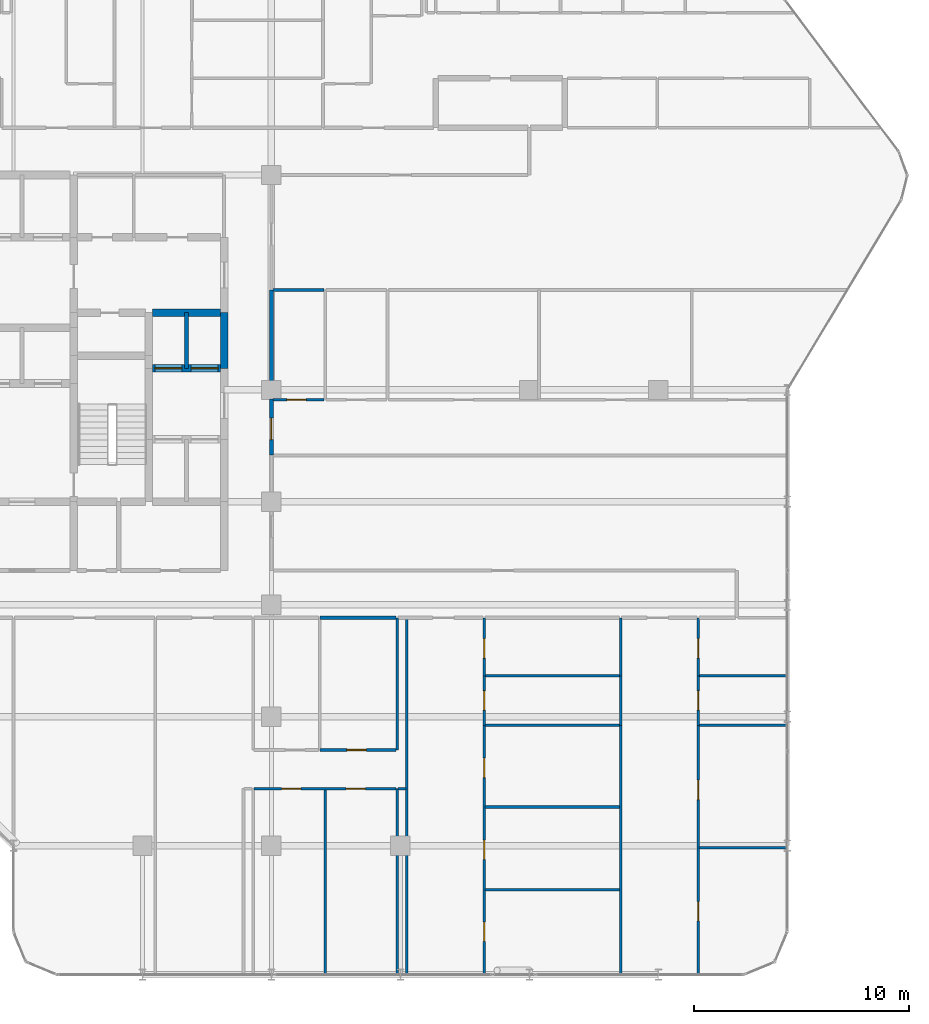
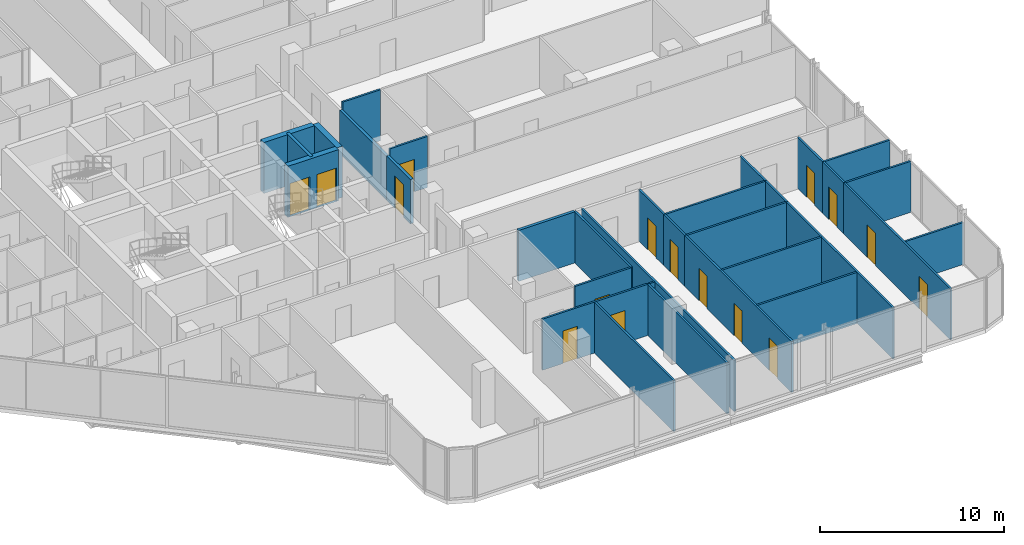
# One storey, part 27 of 31: 32 walls, 16 doors, 16 openings.
"""IFC4 building model written with IfcOpenShell, lengths in metres."""

from ifc_helpers import new_model, si_unit, direction, frame, frame_2d, origin, place, context, subcontext, project, spatial, rectangle, extrude, material, layer, layer_set, type_object, element, fill, save


model = new_model("IFC4")

# Units and contexts
model_context = context("Model", 3, precision=1e-05, world=origin(), true_north=direction((0.0, 1.0)))
body_context = subcontext(model_context, "Body", "Model", "MODEL_VIEW")
ifc_project = project(units=[si_unit("LENGTHUNIT", "METRE"), si_unit("AREAUNIT", "SQUARE_METRE"), si_unit("VOLUMEUNIT", "CUBIC_METRE"), si_unit("PLANEANGLEUNIT", "RADIAN"), si_unit("MASSUNIT", "GRAM", prefix="KILO")], contexts=[model_context])

# Site, building, storey
site_placement = place(None, origin())
site = spatial("IfcSite", under=ifc_project, at=site_placement, CompositionType="ELEMENT")
building_placement = place(site_placement, origin())
building = spatial("IfcBuilding", under=site, at=building_placement, Name="Keshet Zoharim Tower", CompositionType="ELEMENT")
storey_placement = place(building_placement, frame((0.0, 0.0, 129.800048828125)))
storey = spatial("IfcBuildingStorey", under=building, at=storey_placement, Name="L31", CompositionType="ELEMENT", Elevation=129.800048828125)

# Wall
ifc_material_1 = material(Name="Concrete C60/75", Category="concrete")
ifc_layer_1 = layer(ifc_material_1, 0.35009765625)
ifc_layer_set_1 = layer_set([ifc_layer_1], Name="Concrete C60/75")
wall_type_1 = type_object("IfcWallType", Name="WL-CORE-350", PredefinedType="SHEAR", material=ifc_layer_set_1)
wall_1_placement = place(storey_placement, frame((30.800048828125, 28.89990234375, 0.0), z_axis=(0.0, 0.0, 1.0), x_axis=(0.0, 1.0, 0.0)))
element("IfcWall", 1, at=wall_1_placement, inside=storey, type_object=wall_type_1, Name="L31 Core Shear Wall 061", PredefinedType="SHEAR", context=body_context, shape_type="SweptSolid", body=[
    extrude(rectangle(XDim=2.60009765625, YDim=0.35009765625, at=frame_2d((1.300048828125, 0.0))), origin(), (0.0, 0.0, 1.0), 3.385009765625),
])

# Wall, openings, doors
wall_2_placement = place(storey_placement, frame((27.4599609375, 28.89990234375, 0.0), z_axis=(0.0, 0.0, 1.0), x_axis=(1.0, 0.0, 0.0)))
wall_2 = element("IfcWall", 2, at=wall_2_placement, inside=storey, type_object=wall_type_1, Name="L31 Core Shear Wall 159", PredefinedType="SHEAR", context=body_context, shape_type="SweptSolid", body=[
    extrude(rectangle(XDim=3.179931640625, YDim=0.35009765625, at=frame_2d((1.58984375, 0.0))), origin(), (0.0, 0.0, 1.0), 3.385009765625),
])
opening_1_placement = place(wall_2_placement, frame((0.1201171875, 0.0, 0.0)))
opening_1 = element("IfcOpeningElement", 3, at=opening_1_placement, cuts=wall_2, Name="Opening LD-01", PredefinedType="OPENING", context=body_context, shape_type="SweptSolid", body=[
    extrude(rectangle(XDim=1.25, YDim=2.199951171875, at=frame_2d((0.625, 1.10009765625))), frame((0.0, 0.18505859375, 0.0), z_axis=(0.0, -1.0, 0.0), x_axis=(1.0, 0.0, 0.0)), (0.0, 0.0, 1.0), 0.3701171875),
])
opening_2_placement = place(wall_2_placement, frame((1.81005859375, 0.0, 0.0)))
opening_2 = element("IfcOpeningElement", 4, at=opening_2_placement, cuts=wall_2, Name="Opening LD-01", PredefinedType="OPENING", context=body_context, shape_type="SweptSolid", body=[
    extrude(rectangle(XDim=1.25, YDim=2.199951171875, at=frame_2d((0.625, 1.10009765625))), frame((0.0, 0.18505859375, 0.0), z_axis=(0.0, -1.0, 0.0), x_axis=(1.0, 0.0, 0.0)), (0.0, 0.0, 1.0), 0.3701171875),
])
ifc_material_2 = material(Name="Steel S355", Category="steel")
door_type_1 = type_object("IfcDoorType", Name="DR-LD01-125", OperationType="DOUBLE_DOOR_SLIDING", PredefinedType="DOOR", material=ifc_material_2)
door_1_placement = place(opening_1_placement, origin())
door_1 = element("IfcDoor", 5, at=door_1_placement, inside=storey, type_object=door_type_1, Name="L31 Passenger Lift Landing Door LF-05", OperationType="DOUBLE_DOOR_SLIDING", OverallHeight=2.199951171875, OverallWidth=1.25, PredefinedType="DOOR", context=body_context, shape_type="SweptSolid", body=[
    extrude(rectangle(XDim=1.25, YDim=2.199951171875, at=frame_2d((0.625, 1.10009765625))), frame((0.0, 0.02490234375, 0.0), z_axis=(0.0, -1.0, 0.0), x_axis=(1.0, 0.0, 0.0)), (0.0, 0.0, 1.0), 0.050048828125),
])
fill(opening_1, door_1)
door_2_placement = place(opening_2_placement, origin())
door_2 = element("IfcDoor", 6, at=door_2_placement, inside=storey, type_object=door_type_1, Name="L31 Passenger Lift Landing Door LF-06", OperationType="DOUBLE_DOOR_SLIDING", OverallHeight=2.199951171875, OverallWidth=1.25, PredefinedType="DOOR", context=body_context, shape_type="SweptSolid", body=[
    extrude(rectangle(XDim=1.25, YDim=2.199951171875, at=frame_2d((0.625, 1.10009765625))), frame((0.0, 0.02490234375, 0.0), z_axis=(0.0, -1.0, 0.0), x_axis=(1.0, 0.0, 0.0)), (0.0, 0.0, 1.0), 0.050048828125),
])
fill(opening_2, door_2)

# Wall
wall_3_placement = place(storey_placement, frame((27.4599609375, 31.5, 0.0), z_axis=(0.0, 0.0, 1.0), x_axis=(1.0, 0.0, 0.0)))
element("IfcWall", 7, at=wall_3_placement, inside=storey, type_object=wall_type_1, Name="L31 Core Shear Wall 168", PredefinedType="SHEAR", context=body_context, shape_type="SweptSolid", body=[
    extrude(rectangle(XDim=3.179931640625, YDim=0.35009765625, at=frame_2d((1.58984375, 0.0))), origin(), (0.0, 0.0, 1.0), 3.385009765625),
])

# Wall, opening, door
ifc_material_3 = material(Name="Gypsum Plasterboard", Category="gypsum")
ifc_layer_2 = layer(ifc_material_3, 0.179931640625)
ifc_layer_set_2 = layer_set([ifc_layer_2], Name="Gypsum Plasterboard")
wall_type_2 = type_object("IfcWallType", Name="WL-CORR-180", PredefinedType="STANDARD", material=ifc_layer_set_2)
wall_4_placement = place(storey_placement, frame((33.0, 24.8701171875, 0.0), z_axis=(0.0, 0.0, 1.0), x_axis=(0.0, 1.0, 0.0)))
wall_4 = element("IfcWall", 8, at=wall_4_placement, inside=storey, type_object=wall_type_2, Name="L31 Interior Wall 068", PredefinedType="STANDARD", context=body_context, shape_type="SweptSolid", body=[
    extrude(rectangle(XDim=2.599853515625, YDim=0.179931640625, at=frame_2d((1.2998046875, 0.0))), origin(), (0.0, 0.0, 1.0), 2.93505859375),
])
opening_3_placement = place(wall_4_placement, frame((0.722900390625, 0.0, 0.0)))
opening_3 = element("IfcOpeningElement", 9, at=opening_3_placement, cuts=wall_4, Name="Opening D-F310", PredefinedType="OPENING", context=body_context, shape_type="SweptSolid", body=[
    extrude(rectangle(XDim=1.0, YDim=2.14990234375, at=frame_2d((0.5, 1.074951171875))), frame((0.0, 0.10009765625, 0.0), z_axis=(0.0, -1.0, 0.0), x_axis=(1.0, 0.0, 0.0)), (0.0, 0.0, 1.0), 0.199951171875),
])
ifc_material_4 = material(Name="Hardwood Timber", Category="wood")
door_type_2 = type_object("IfcDoorType", Name="DR-FD30-100", OperationType="NOTDEFINED", PredefinedType="DOOR", material=ifc_material_4)
door_3_placement = place(opening_3_placement, origin())
door_3 = element("IfcDoor", 10, at=door_3_placement, inside=storey, type_object=door_type_2, Name="Apartment 3111 Entrance Door", OperationType="SINGLE_SWING_RIGHT", OverallHeight=2.14990234375, OverallWidth=1.0, PredefinedType="DOOR", context=body_context, shape_type="SweptSolid", body=[
    extrude(rectangle(XDim=1.0, YDim=2.14990234375, at=frame_2d((0.5, 1.074951171875))), frame((0.0, 0.02490234375, 0.0), z_axis=(0.0, -1.0, 0.0), x_axis=(1.0, 0.0, 0.0)), (0.0, 0.0, 1.0), 0.050048828125),
])
fill(opening_3, door_3)

# Walls
wall_5_placement = place(storey_placement, frame((33.0, 27.469970703125, 0.0), z_axis=(0.0, 0.0, 1.0), x_axis=(0.0, 1.0, 0.0)))
element("IfcWall", 11, at=wall_5_placement, inside=storey, type_object=wall_type_2, Name="L31 Interior Wall 069", PredefinedType="STANDARD", context=body_context, shape_type="SweptSolid", body=[
    extrude(rectangle(XDim=5.070068359375, YDim=0.179931640625, at=frame_2d((2.53515625, 0.0))), origin(), (0.0, 0.0, 1.0), 2.885009765625),
])
wall_6_placement = place(storey_placement, frame((35.27197265625, 17.300048828125, 0.0), z_axis=(0.0, 0.0, 1.0), x_axis=(1.0, 0.0, 0.0)))
element("IfcWall", 12, at=wall_6_placement, inside=storey, type_object=wall_type_2, Name="L31 Interior Wall 128", PredefinedType="STANDARD", context=body_context, shape_type="SweptSolid", body=[
    extrude(rectangle(XDim=3.532958984375, YDim=0.179931640625, at=frame_2d((1.7666015625, 0.0))), origin(), (0.0, 0.0, 1.0), 3.385009765625),
])
ifc_material_5 = material(Name="Concrete C50/60", Category="concrete")
ifc_layer_3 = layer(ifc_material_5, 0.199951171875)
ifc_layer_set_3 = layer_set([ifc_layer_3], Name="Concrete C50/60")
wall_type_3 = type_object("IfcWallType", Name="WL-FIRE-200", PredefinedType="STANDARD", material=ifc_layer_set_3)
wall_7_placement = place(storey_placement, frame((29.050048828125, 28.89990234375, 0.0), z_axis=(0.0, 0.0, 1.0), x_axis=(0.0, 1.0, 0.0)))
element("IfcWall", 13, at=wall_7_placement, inside=storey, type_object=wall_type_3, Name="L31 Interior Wall 054", PredefinedType="STANDARD", context=body_context, shape_type="SweptSolid", body=[
    extrude(rectangle(XDim=2.60009765625, YDim=0.199951171875, at=frame_2d((1.300048828125, 0.0))), origin(), (0.0, 0.0, 1.0), 3.385009765625),
])
ifc_layer_4 = layer(ifc_material_3, 0.1201171875)
ifc_layer_set_4 = layer_set([ifc_layer_4], Name="Gypsum Plasterboard")
wall_type_4 = type_object("IfcWallType", Name="WL-PART-120", PredefinedType="PARTITIONING", material=ifc_layer_set_4)
for number, where, z_axis, x_axis, name in (
    (14, (35.5, 0.7099609375, 0.0), (0.0, 0.0, 1.0), (0.0, 1.0, 0.0), "L31 Interior Wall 075"),
    (15, (38.85009765625, 0.7099609375, 0.0), (0.0, 0.0, 1.0), (0.0, 1.0, 0.0), "L31 Interior Wall 080"),
):
    element("IfcWall", number, at=place(storey_placement, frame(where, z_axis=z_axis, x_axis=x_axis)), inside=storey, type_object=wall_type_4, Name=name, PredefinedType="PARTITIONING", context=body_context, shape_type="SweptSolid", body=[
        extrude(rectangle(XDim=8.64013671875, YDim=0.1201171875, at=frame_2d((4.320068359375, 0.0))), origin(), (0.0, 0.0, 1.0), 3.385009765625),
    ])
wall_8_placement = place(storey_placement, frame((39.300048828125, 0.7099609375, 0.0), z_axis=(0.0, 0.0, 1.0), x_axis=(0.0, 1.0, 0.0)))
element("IfcWall", 16, at=wall_8_placement, inside=storey, type_object=wall_type_4, Name="L31 Interior Wall 082", PredefinedType="PARTITIONING", context=body_context, shape_type="SweptSolid", body=[
    extrude(rectangle(XDim=16.590087890625, YDim=0.1201171875, at=frame_2d((8.294921875, 0.0))), origin(), (0.0, 0.0, 1.0), 3.385009765625),
])

# Wall, openings, doors
wall_9_placement = place(storey_placement, frame((42.89990234375, 0.7099609375, 0.0), z_axis=(0.0, 0.0, 1.0), x_axis=(0.0, 1.0, 0.0)))
wall_9 = element("IfcWall", 17, at=wall_9_placement, inside=storey, type_object=wall_type_4, Name="L31 Interior Wall 087", PredefinedType="PARTITIONING", context=body_context, shape_type="SweptSolid", body=[
    extrude(rectangle(XDim=11.590087890625, YDim=0.1201171875, at=frame_2d((5.794921875, 0.0))), origin(), (0.0, 0.0, 1.0), 3.385009765625),
])
opening_4_placement = place(wall_9_placement, frame((1.534912109375, 0.0, 0.0)))
opening_4 = element("IfcOpeningElement", 18, at=opening_4_placement, cuts=wall_9, Name="Opening D-IN90", PredefinedType="OPENING", context=body_context, shape_type="SweptSolid", body=[
    extrude(rectangle(XDim=0.89990234375, YDim=2.14990234375, at=frame_2d((0.449951171875, 1.074951171875))), frame((0.0, 0.070068359375, 0.0), z_axis=(0.0, -1.0, 0.0), x_axis=(1.0, 0.0, 0.0)), (0.0, 0.0, 1.0), 0.14013671875),
])
opening_5_placement = place(wall_9_placement, frame((5.34912109375, 0.0, 0.0)))
opening_5 = element("IfcOpeningElement", 19, at=opening_5_placement, cuts=wall_9, Name="Opening D-IN90", PredefinedType="OPENING", context=body_context, shape_type="SweptSolid", body=[
    extrude(rectangle(XDim=0.89990234375, YDim=2.14990234375, at=frame_2d((0.449951171875, 1.074951171875))), frame((0.0, 0.070068359375, 0.0), z_axis=(0.0, -1.0, 0.0), x_axis=(1.0, 0.0, 0.0)), (0.0, 0.0, 1.0), 0.14013671875),
])
opening_6_placement = place(wall_9_placement, frame((9.158935546875, 0.0, 0.0)))
opening_6 = element("IfcOpeningElement", 20, at=opening_6_placement, cuts=wall_9, Name="Opening D-IN90", PredefinedType="OPENING", context=body_context, shape_type="SweptSolid", body=[
    extrude(rectangle(XDim=0.89990234375, YDim=2.14990234375, at=frame_2d((0.449951171875, 1.074951171875))), frame((0.0, 0.070068359375, 0.0), z_axis=(0.0, -1.0, 0.0), x_axis=(1.0, 0.0, 0.0)), (0.0, 0.0, 1.0), 0.14013671875),
])
door_type_3 = type_object("IfcDoorType", Name="DR-INT-090", OperationType="NOTDEFINED", PredefinedType="DOOR", material=ifc_material_4)
door_4_placement = place(opening_4_placement, origin())
door_4 = element("IfcDoor", 21, at=door_4_placement, inside=storey, type_object=door_type_3, Name="Apartment 3103 Bedroom 1 Door", OperationType="SINGLE_SWING_RIGHT", OverallHeight=2.14990234375, OverallWidth=0.89990234375, PredefinedType="DOOR", context=body_context, shape_type="SweptSolid", body=[
    extrude(rectangle(XDim=0.89990234375, YDim=2.14990234375, at=frame_2d((0.449951171875, 1.074951171875))), frame((0.0, 0.02490234375, 0.0), z_axis=(0.0, -1.0, 0.0), x_axis=(1.0, 0.0, 0.0)), (0.0, 0.0, 1.0), 0.050048828125),
])
fill(opening_4, door_4)
door_5_placement = place(opening_5_placement, origin())
door_5 = element("IfcDoor", 22, at=door_5_placement, inside=storey, type_object=door_type_3, Name="Apartment 3103 Bedroom 2 Door", OperationType="SINGLE_SWING_LEFT", OverallHeight=2.14990234375, OverallWidth=0.89990234375, PredefinedType="DOOR", context=body_context, shape_type="SweptSolid", body=[
    extrude(rectangle(XDim=0.89990234375, YDim=2.14990234375, at=frame_2d((0.449951171875, 1.074951171875))), frame((0.0, 0.02490234375, 0.0), z_axis=(0.0, -1.0, 0.0), x_axis=(1.0, 0.0, 0.0)), (0.0, 0.0, 1.0), 0.050048828125),
])
fill(opening_5, door_5)
door_6_placement = place(opening_6_placement, origin())
door_6 = element("IfcDoor", 23, at=door_6_placement, inside=storey, type_object=door_type_3, Name="Apartment 3103 Bedroom 3 Door", OperationType="SINGLE_SWING_RIGHT", OverallHeight=2.14990234375, OverallWidth=0.89990234375, PredefinedType="DOOR", context=body_context, shape_type="SweptSolid", body=[
    extrude(rectangle(XDim=0.89990234375, YDim=2.14990234375, at=frame_2d((0.449951171875, 1.074951171875))), frame((0.0, 0.02490234375, 0.0), z_axis=(0.0, -1.0, 0.0), x_axis=(1.0, 0.0, 0.0)), (0.0, 0.0, 1.0), 0.050048828125),
])
fill(opening_6, door_6)

# Wall, opening, door
wall_10_placement = place(storey_placement, frame((42.89990234375, 12.300048828125, 0.0), z_axis=(0.0, 0.0, 1.0), x_axis=(0.0, 1.0, 0.0)))
wall_10 = element("IfcWall", 24, at=wall_10_placement, inside=storey, type_object=wall_type_4, Name="L31 Interior Wall 088", PredefinedType="PARTITIONING", context=body_context, shape_type="SweptSolid", body=[
    extrude(rectangle(XDim=2.300048828125, YDim=0.1201171875, at=frame_2d((1.14990234375, 0.0))), origin(), (0.0, 0.0, 1.0), 3.385009765625),
])
opening_7_placement = place(wall_10_placement, frame((0.699951171875, 0.0, 0.0)))
opening_7 = element("IfcOpeningElement", 25, at=opening_7_placement, cuts=wall_10, Name="Opening D-IN90", PredefinedType="OPENING", context=body_context, shape_type="SweptSolid", body=[
    extrude(rectangle(XDim=0.89990234375, YDim=2.14990234375, at=frame_2d((0.449951171875, 1.074951171875))), frame((0.0, 0.070068359375, 0.0), z_axis=(0.0, -1.0, 0.0), x_axis=(1.0, 0.0, 0.0)), (0.0, 0.0, 1.0), 0.14013671875),
])
door_7_placement = place(opening_7_placement, origin())
door_7 = element("IfcDoor", 26, at=door_7_placement, inside=storey, type_object=door_type_3, Name="Apartment 3103 Kitchen Door", OperationType="SINGLE_SWING_LEFT", OverallHeight=2.14990234375, OverallWidth=0.89990234375, PredefinedType="DOOR", context=body_context, shape_type="SweptSolid", body=[
    extrude(rectangle(XDim=0.89990234375, YDim=2.14990234375, at=frame_2d((0.449951171875, 1.074951171875))), frame((0.0, 0.02490234375, 0.0), z_axis=(0.0, -1.0, 0.0), x_axis=(1.0, 0.0, 0.0)), (0.0, 0.0, 1.0), 0.050048828125),
])
fill(opening_7, door_7)

# Walls
wall_11_placement = place(storey_placement, frame((49.25, 0.7099609375, 0.0), z_axis=(0.0, 0.0, 1.0), x_axis=(0.0, 1.0, 0.0)))
element("IfcWall", 27, at=wall_11_placement, inside=storey, type_object=wall_type_4, Name="L31 Interior Wall 095", PredefinedType="PARTITIONING", context=body_context, shape_type="SweptSolid", body=[
    extrude(rectangle(XDim=11.590087890625, YDim=0.1201171875, at=frame_2d((5.794921875, 0.0))), origin(), (0.0, 0.0, 1.0), 3.385009765625),
])
wall_12_placement = place(storey_placement, frame((49.25, 12.300048828125, 0.0), z_axis=(0.0, 0.0, 1.0), x_axis=(0.0, 1.0, 0.0)))
element("IfcWall", 28, at=wall_12_placement, inside=storey, type_object=wall_type_4, Name="L31 Interior Wall 096", PredefinedType="PARTITIONING", context=body_context, shape_type="SweptSolid", body=[
    extrude(rectangle(XDim=2.300048828125, YDim=0.1201171875, at=frame_2d((1.14990234375, 0.0))), origin(), (0.0, 0.0, 1.0), 3.385009765625),
])

# Wall, openings, doors
wall_13_placement = place(storey_placement, frame((52.85009765625, 0.7099609375, 0.0), z_axis=(0.0, 0.0, 1.0), x_axis=(0.0, 1.0, 0.0)))
wall_13 = element("IfcWall", 29, at=wall_13_placement, inside=storey, type_object=wall_type_4, Name="L31 Interior Wall 102", PredefinedType="PARTITIONING", context=body_context, shape_type="SweptSolid", body=[
    extrude(rectangle(XDim=11.590087890625, YDim=0.1201171875, at=frame_2d((5.794921875, 0.0))), origin(), (0.0, 0.0, 1.0), 3.385009765625),
])
opening_8_placement = place(wall_13_placement, frame((2.489990234375, 0.0, 0.0)))
opening_8 = element("IfcOpeningElement", 30, at=opening_8_placement, cuts=wall_13, Name="Opening D-IN90", PredefinedType="OPENING", context=body_context, shape_type="SweptSolid", body=[
    extrude(rectangle(XDim=0.89990234375, YDim=2.14990234375, at=frame_2d((0.449951171875, 1.074951171875))), frame((0.0, 0.070068359375, 0.0), z_axis=(0.0, -1.0, 0.0), x_axis=(1.0, 0.0, 0.0)), (0.0, 0.0, 1.0), 0.14013671875),
])
opening_9_placement = place(wall_13_placement, frame((8.133056640625, 0.0, 0.0)))
opening_9 = element("IfcOpeningElement", 31, at=opening_9_placement, cuts=wall_13, Name="Opening D-IN90", PredefinedType="OPENING", context=body_context, shape_type="SweptSolid", body=[
    extrude(rectangle(XDim=0.89990234375, YDim=2.14990234375, at=frame_2d((0.449951171875, 1.074951171875))), frame((0.0, 0.070068359375, 0.0), z_axis=(0.0, -1.0, 0.0), x_axis=(1.0, 0.0, 0.0)), (0.0, 0.0, 1.0), 0.14013671875),
])
door_8_placement = place(opening_8_placement, origin())
door_8 = element("IfcDoor", 32, at=door_8_placement, inside=storey, type_object=door_type_3, Name="Apartment 3104 Bedroom 1 Door", OperationType="SINGLE_SWING_LEFT", OverallHeight=2.14990234375, OverallWidth=0.89990234375, PredefinedType="DOOR", context=body_context, shape_type="SweptSolid", body=[
    extrude(rectangle(XDim=0.89990234375, YDim=2.14990234375, at=frame_2d((0.449951171875, 1.074951171875))), frame((0.0, 0.02490234375, 0.0), z_axis=(0.0, -1.0, 0.0), x_axis=(1.0, 0.0, 0.0)), (0.0, 0.0, 1.0), 0.050048828125),
])
fill(opening_8, door_8)
door_9_placement = place(opening_9_placement, origin())
door_9 = element("IfcDoor", 33, at=door_9_placement, inside=storey, type_object=door_type_3, Name="Apartment 3104 Bedroom 2 Door", OperationType="SINGLE_SWING_RIGHT", OverallHeight=2.14990234375, OverallWidth=0.89990234375, PredefinedType="DOOR", context=body_context, shape_type="SweptSolid", body=[
    extrude(rectangle(XDim=0.89990234375, YDim=2.14990234375, at=frame_2d((0.449951171875, 1.074951171875))), frame((0.0, 0.02490234375, 0.0), z_axis=(0.0, -1.0, 0.0), x_axis=(1.0, 0.0, 0.0)), (0.0, 0.0, 1.0), 0.050048828125),
])
fill(opening_9, door_9)

# Wall, opening, door
wall_14_placement = place(storey_placement, frame((52.85009765625, 12.300048828125, 0.0), z_axis=(0.0, 0.0, 1.0), x_axis=(0.0, 1.0, 0.0)))
wall_14 = element("IfcWall", 34, at=wall_14_placement, inside=storey, type_object=wall_type_4, Name="L31 Interior Wall 103", PredefinedType="PARTITIONING", context=body_context, shape_type="SweptSolid", body=[
    extrude(rectangle(XDim=2.300048828125, YDim=0.1201171875, at=frame_2d((1.14990234375, 0.0))), origin(), (0.0, 0.0, 1.0), 3.385009765625),
])
opening_10_placement = place(wall_14_placement, frame((0.699951171875, 0.0, 0.0)))
opening_10 = element("IfcOpeningElement", 35, at=opening_10_placement, cuts=wall_14, Name="Opening D-IN90", PredefinedType="OPENING", context=body_context, shape_type="SweptSolid", body=[
    extrude(rectangle(XDim=0.89990234375, YDim=2.14990234375, at=frame_2d((0.449951171875, 1.074951171875))), frame((0.0, 0.070068359375, 0.0), z_axis=(0.0, -1.0, 0.0), x_axis=(1.0, 0.0, 0.0)), (0.0, 0.0, 1.0), 0.14013671875),
])
door_10_placement = place(opening_10_placement, origin())
door_10 = element("IfcDoor", 36, at=door_10_placement, inside=storey, type_object=door_type_3, Name="Apartment 3104 Kitchen Door", OperationType="SINGLE_SWING_LEFT", OverallHeight=2.14990234375, OverallWidth=0.89990234375, PredefinedType="DOOR", context=body_context, shape_type="SweptSolid", body=[
    extrude(rectangle(XDim=0.89990234375, YDim=2.14990234375, at=frame_2d((0.449951171875, 1.074951171875))), frame((0.0, 0.02490234375, 0.0), z_axis=(0.0, -1.0, 0.0), x_axis=(1.0, 0.0, 0.0)), (0.0, 0.0, 1.0), 0.050048828125),
])
fill(opening_10, door_10)

# Walls
wall_15_placement = place(storey_placement, frame((42.945068359375, 4.64990234375, 0.0), z_axis=(0.0, 0.0, 1.0), x_axis=(1.0, 0.0, 0.0)))
element("IfcWall", 37, at=wall_15_placement, inside=storey, type_object=wall_type_4, Name="L31 Interior Wall 107", PredefinedType="PARTITIONING", context=body_context, shape_type="SweptSolid", body=[
    extrude(rectangle(XDim=6.25, YDim=0.1201171875, at=frame_2d((3.125, 0.0))), origin(), (0.0, 0.0, 1.0), 3.385009765625),
])
wall_16_placement = place(storey_placement, frame((52.885009765625, 6.60009765625, 0.0), z_axis=(0.0, 0.0, 1.0), x_axis=(1.0, 0.0, 0.0)))
element("IfcWall", 38, at=wall_16_placement, inside=storey, type_object=wall_type_4, Name="L31 Interior Wall 108", PredefinedType="PARTITIONING", context=body_context, shape_type="SweptSolid", body=[
    extrude(rectangle(XDim=4.10498046875, YDim=0.1201171875, at=frame_2d((2.052490234375, 0.0))), origin(), (0.0, 0.0, 1.0), 2.784912109375),
])
wall_17_placement = place(storey_placement, frame((42.945068359375, 8.5, 0.0), z_axis=(0.0, 0.0, 1.0), x_axis=(1.0, 0.0, 0.0)))
element("IfcWall", 39, at=wall_17_placement, inside=storey, type_object=wall_type_4, Name="L31 Interior Wall 109", PredefinedType="PARTITIONING", context=body_context, shape_type="SweptSolid", body=[
    extrude(rectangle(XDim=6.25, YDim=0.1201171875, at=frame_2d((3.125, 0.0))), origin(), (0.0, 0.0, 1.0), 3.385009765625),
])

# Wall, openings, doors
wall_18_placement = place(storey_placement, frame((32.18505859375, 9.35009765625, 0.0), z_axis=(0.0, 0.0, 1.0), x_axis=(1.0, 0.0, 0.0)))
wall_18 = element("IfcWall", 40, at=wall_18_placement, inside=storey, type_object=wall_type_4, Name="L31 Interior Wall 111", PredefinedType="PARTITIONING", context=body_context, shape_type="SweptSolid", body=[
    extrude(rectangle(XDim=6.619873046875, YDim=0.1201171875, at=frame_2d((3.31005859375, 0.0))), origin(), (0.0, 0.0, 1.0), 3.385009765625),
])
opening_11_placement = place(wall_18_placement, frame((1.284912109375, 0.0, 0.0)))
opening_11 = element("IfcOpeningElement", 41, at=opening_11_placement, cuts=wall_18, Name="Opening D-IN90", PredefinedType="OPENING", context=body_context, shape_type="SweptSolid", body=[
    extrude(rectangle(XDim=0.89990234375, YDim=2.14990234375, at=frame_2d((0.449951171875, 1.074951171875))), frame((0.0, 0.070068359375, 0.0), z_axis=(0.0, -1.0, 0.0), x_axis=(1.0, 0.0, 0.0)), (0.0, 0.0, 1.0), 0.14013671875),
])
opening_12_placement = place(wall_18_placement, frame((4.2900390625, 0.0, 0.0)))
opening_12 = element("IfcOpeningElement", 42, at=opening_12_placement, cuts=wall_18, Name="Opening D-IN90", PredefinedType="OPENING", context=body_context, shape_type="SweptSolid", body=[
    extrude(rectangle(XDim=0.89990234375, YDim=2.14990234375, at=frame_2d((0.449951171875, 1.074951171875))), frame((0.0, 0.070068359375, 0.0), z_axis=(0.0, -1.0, 0.0), x_axis=(1.0, 0.0, 0.0)), (0.0, 0.0, 1.0), 0.14013671875),
])
door_11_placement = place(opening_11_placement, origin())
door_11 = element("IfcDoor", 43, at=door_11_placement, inside=storey, type_object=door_type_3, Name="Apartment 3102 Bedroom 1 Door", OperationType="SINGLE_SWING_LEFT", OverallHeight=2.14990234375, OverallWidth=0.89990234375, PredefinedType="DOOR", context=body_context, shape_type="SweptSolid", body=[
    extrude(rectangle(XDim=0.89990234375, YDim=2.14990234375, at=frame_2d((0.449951171875, 1.074951171875))), frame((0.0, 0.02490234375, 0.0), z_axis=(0.0, -1.0, 0.0), x_axis=(1.0, 0.0, 0.0)), (0.0, 0.0, 1.0), 0.050048828125),
])
fill(opening_11, door_11)
door_12_placement = place(opening_12_placement, origin())
door_12 = element("IfcDoor", 44, at=door_12_placement, inside=storey, type_object=door_type_3, Name="Apartment 3102 Bedroom 2 Door", OperationType="SINGLE_SWING_RIGHT", OverallHeight=2.14990234375, OverallWidth=0.89990234375, PredefinedType="DOOR", context=body_context, shape_type="SweptSolid", body=[
    extrude(rectangle(XDim=0.89990234375, YDim=2.14990234375, at=frame_2d((0.449951171875, 1.074951171875))), frame((0.0, 0.02490234375, 0.0), z_axis=(0.0, -1.0, 0.0), x_axis=(1.0, 0.0, 0.0)), (0.0, 0.0, 1.0), 0.050048828125),
])
fill(opening_12, door_12)

# Walls
wall_19_placement = place(storey_placement, frame((38.89501953125, 9.35009765625, 0.0), z_axis=(0.0, 0.0, 1.0), x_axis=(1.0, 0.0, 0.0)))
element("IfcWall", 45, at=wall_19_placement, inside=storey, type_object=wall_type_4, Name="L31 Interior Wall 112", PredefinedType="PARTITIONING", context=body_context, shape_type="SweptSolid", body=[
    extrude(rectangle(XDim=0.35986328125, YDim=0.1201171875, at=frame_2d((0.179931640625, 0.0))), origin(), (0.0, 0.0, 1.0), 3.385009765625),
])
wall_20_placement = place(storey_placement, frame((42.945068359375, 12.300048828125, 0.0), z_axis=(0.0, 0.0, 1.0), x_axis=(1.0, 0.0, 0.0)))
element("IfcWall", 46, at=wall_20_placement, inside=storey, type_object=wall_type_4, Name="L31 Interior Wall 116", PredefinedType="PARTITIONING", context=body_context, shape_type="SweptSolid", body=[
    extrude(rectangle(XDim=6.25, YDim=0.1201171875, at=frame_2d((3.125, 0.0))), origin(), (0.0, 0.0, 1.0), 3.385009765625),
])
wall_21_placement = place(storey_placement, frame((52.885009765625, 12.300048828125, 0.0), z_axis=(0.0, 0.0, 1.0), x_axis=(1.0, 0.0, 0.0)))
element("IfcWall", 47, at=wall_21_placement, inside=storey, type_object=wall_type_4, Name="L31 Interior Wall 117", PredefinedType="PARTITIONING", context=body_context, shape_type="SweptSolid", body=[
    extrude(rectangle(XDim=4.10498046875, YDim=0.1201171875, at=frame_2d((2.052490234375, 0.0))), origin(), (0.0, 0.0, 1.0), 3.385009765625),
])

# Wall, opening, door
wall_22_placement = place(storey_placement, frame((33.074951171875, 27.449951171875, 0.0), z_axis=(0.0, 0.0, 1.0), x_axis=(1.0, 0.0, 0.0)))
wall_22 = element("IfcWall", 48, at=wall_22_placement, inside=storey, type_object=wall_type_4, Name="L31 Interior Wall 155", PredefinedType="PARTITIONING", context=body_context, shape_type="SweptSolid", body=[
    extrude(rectangle(XDim=2.364013671875, YDim=0.1201171875, at=frame_2d((1.18212890625, 0.0))), origin(), (0.0, 0.0, 1.0), 3.385009765625),
])
opening_13_placement = place(wall_22_placement, frame((0.64111328125, 0.0, 0.0)))
opening_13 = element("IfcOpeningElement", 49, at=opening_13_placement, cuts=wall_22, Name="Opening D-IN90", PredefinedType="OPENING", context=body_context, shape_type="SweptSolid", body=[
    extrude(rectangle(XDim=0.89990234375, YDim=2.14990234375, at=frame_2d((0.449951171875, 1.074951171875))), frame((0.0, 0.070068359375, 0.0), z_axis=(0.0, -1.0, 0.0), x_axis=(1.0, 0.0, 0.0)), (0.0, 0.0, 1.0), 0.14013671875),
])
door_13_placement = place(opening_13_placement, origin())
door_13 = element("IfcDoor", 50, at=door_13_placement, inside=storey, type_object=door_type_3, Name="Apartment 3111 Kitchen Door", OperationType="SINGLE_SWING_RIGHT", OverallHeight=2.14990234375, OverallWidth=0.89990234375, PredefinedType="DOOR", context=body_context, shape_type="SweptSolid", body=[
    extrude(rectangle(XDim=0.89990234375, YDim=2.14990234375, at=frame_2d((0.449951171875, 1.074951171875))), frame((0.0, 0.02490234375, 0.0), z_axis=(0.0, -1.0, 0.0), x_axis=(1.0, 0.0, 0.0)), (0.0, 0.0, 1.0), 0.050048828125),
])
fill(opening_13, door_13)

# Walls
wall_23_placement = place(storey_placement, frame((33.074951171875, 32.550048828125, 0.0), z_axis=(0.0, 0.0, 1.0), x_axis=(1.0, 0.0, 0.0)))
element("IfcWall", 51, at=wall_23_placement, inside=storey, type_object=wall_type_4, Name="L31 Interior Wall 171", PredefinedType="PARTITIONING", context=body_context, shape_type="SweptSolid", body=[
    extrude(rectangle(XDim=2.364013671875, YDim=0.1201171875, at=frame_2d((1.18212890625, 0.0))), origin(), (0.0, 0.0, 1.0), 3.385009765625),
])
ifc_layer_5 = layer(ifc_material_3, 0.1201171875)
ifc_layer_set_5 = layer_set([ifc_layer_5], Name="Gypsum Plasterboard")
wall_type_5 = type_object("IfcWallType", Name="WL-WET-120", PredefinedType="PARTITIONING", material=ifc_layer_set_5)
wall_24_placement = place(storey_placement, frame((38.85009765625, 11.14990234375, 0.0), z_axis=(0.0, 0.0, 1.0), x_axis=(0.0, 1.0, 0.0)))
element("IfcWall", 52, at=wall_24_placement, inside=storey, type_object=wall_type_5, Name="L31 Interior Wall 081", PredefinedType="PARTITIONING", context=body_context, shape_type="SweptSolid", body=[
    extrude(rectangle(XDim=6.150146484375, YDim=0.1201171875, at=frame_2d((3.0751953125, 0.0))), origin(), (0.0, 0.0, 1.0), 3.385009765625),
])

# Wall, opening, door
wall_25_placement = place(storey_placement, frame((42.89990234375, 14.60009765625, 0.0), z_axis=(0.0, 0.0, 1.0), x_axis=(0.0, 1.0, 0.0)))
wall_25 = element("IfcWall", 53, at=wall_25_placement, inside=storey, type_object=wall_type_5, Name="L31 Interior Wall 089", PredefinedType="PARTITIONING", context=body_context, shape_type="SweptSolid", body=[
    extrude(rectangle(XDim=2.699951171875, YDim=0.1201171875, at=frame_2d((1.35009765625, 0.0))), origin(), (0.0, 0.0, 1.0), 3.385009765625),
])
opening_14_placement = place(wall_25_placement, frame((0.827880859375, 0.0, 0.0)))
opening_14 = element("IfcOpeningElement", 54, at=opening_14_placement, cuts=wall_25, Name="Opening D-WT90", PredefinedType="OPENING", context=body_context, shape_type="SweptSolid", body=[
    extrude(rectangle(XDim=0.89990234375, YDim=2.10009765625, at=frame_2d((0.449951171875, 1.050048828125))), frame((0.0, 0.070068359375, 0.0), z_axis=(0.0, -1.0, 0.0), x_axis=(1.0, 0.0, 0.0)), (0.0, 0.0, 1.0), 0.14013671875),
])
door_type_4 = type_object("IfcDoorType", Name="DR-WET-090", OperationType="NOTDEFINED", PredefinedType="DOOR", material=ifc_material_4)
door_14_placement = place(opening_14_placement, origin())
door_14 = element("IfcDoor", 55, at=door_14_placement, inside=storey, type_object=door_type_4, Name="Apartment 3103 Bathroom Door", OperationType="SINGLE_SWING_RIGHT", OverallHeight=2.10009765625, OverallWidth=0.89990234375, PredefinedType="DOOR", context=body_context, shape_type="SweptSolid", body=[
    extrude(rectangle(XDim=0.89990234375, YDim=2.10009765625, at=frame_2d((0.449951171875, 1.050048828125))), frame((0.0, 0.02490234375, 0.0), z_axis=(0.0, -1.0, 0.0), x_axis=(1.0, 0.0, 0.0)), (0.0, 0.0, 1.0), 0.050048828125),
])
fill(opening_14, door_14)

# Wall
wall_26_placement = place(storey_placement, frame((49.25, 14.60009765625, 0.0), z_axis=(0.0, 0.0, 1.0), x_axis=(0.0, 1.0, 0.0)))
element("IfcWall", 56, at=wall_26_placement, inside=storey, type_object=wall_type_5, Name="L31 Interior Wall 097", PredefinedType="PARTITIONING", context=body_context, shape_type="SweptSolid", body=[
    extrude(rectangle(XDim=2.699951171875, YDim=0.1201171875, at=frame_2d((1.35009765625, 0.0))), origin(), (0.0, 0.0, 1.0), 3.385009765625),
])

# Wall, opening, door
wall_27_placement = place(storey_placement, frame((52.85009765625, 14.60009765625, 0.0), z_axis=(0.0, 0.0, 1.0), x_axis=(0.0, 1.0, 0.0)))
wall_27 = element("IfcWall", 57, at=wall_27_placement, inside=storey, type_object=wall_type_5, Name="L31 Interior Wall 104", PredefinedType="PARTITIONING", context=body_context, shape_type="SweptSolid", body=[
    extrude(rectangle(XDim=2.699951171875, YDim=0.1201171875, at=frame_2d((1.35009765625, 0.0))), origin(), (0.0, 0.0, 1.0), 3.385009765625),
])
opening_15_placement = place(wall_27_placement, frame((0.827880859375, 0.0, 0.0)))
opening_15 = element("IfcOpeningElement", 58, at=opening_15_placement, cuts=wall_27, Name="Opening D-WT90", PredefinedType="OPENING", context=body_context, shape_type="SweptSolid", body=[
    extrude(rectangle(XDim=0.89990234375, YDim=2.10009765625, at=frame_2d((0.449951171875, 1.050048828125))), frame((0.0, 0.070068359375, 0.0), z_axis=(0.0, -1.0, 0.0), x_axis=(1.0, 0.0, 0.0)), (0.0, 0.0, 1.0), 0.14013671875),
])
door_15_placement = place(opening_15_placement, origin())
door_15 = element("IfcDoor", 59, at=door_15_placement, inside=storey, type_object=door_type_4, Name="Apartment 3104 Bathroom Door", OperationType="SINGLE_SWING_RIGHT", OverallHeight=2.10009765625, OverallWidth=0.89990234375, PredefinedType="DOOR", context=body_context, shape_type="SweptSolid", body=[
    extrude(rectangle(XDim=0.89990234375, YDim=2.10009765625, at=frame_2d((0.449951171875, 1.050048828125))), frame((0.0, 0.02490234375, 0.0), z_axis=(0.0, -1.0, 0.0), x_axis=(1.0, 0.0, 0.0)), (0.0, 0.0, 1.0), 0.050048828125),
])
fill(opening_15, door_15)

wall_28_placement = place(storey_placement, frame((35.27197265625, 11.14990234375, 0.0), z_axis=(0.0, 0.0, 1.0), x_axis=(1.0, 0.0, 0.0)))
wall_28 = element("IfcWall", 60, at=wall_28_placement, inside=storey, type_object=wall_type_5, Name="L31 Interior Wall 114", PredefinedType="PARTITIONING", context=body_context, shape_type="SweptSolid", body=[
    extrude(rectangle(XDim=3.532958984375, YDim=0.1201171875, at=frame_2d((1.7666015625, 0.0))), origin(), (0.0, 0.0, 1.0), 3.385009765625),
])
opening_16_placement = place(wall_28_placement, frame((1.242919921875, 0.0, 0.0)))
opening_16 = element("IfcOpeningElement", 61, at=opening_16_placement, cuts=wall_28, Name="Opening D-WT90", PredefinedType="OPENING", context=body_context, shape_type="SweptSolid", body=[
    extrude(rectangle(XDim=0.89990234375, YDim=2.10009765625, at=frame_2d((0.449951171875, 1.050048828125))), frame((0.0, 0.070068359375, 0.0), z_axis=(0.0, -1.0, 0.0), x_axis=(1.0, 0.0, 0.0)), (0.0, 0.0, 1.0), 0.14013671875),
])
door_16_placement = place(opening_16_placement, origin())
door_16 = element("IfcDoor", 62, at=door_16_placement, inside=storey, type_object=door_type_4, Name="Apartment 3102 Bathroom Door", OperationType="SINGLE_SWING_RIGHT", OverallHeight=2.10009765625, OverallWidth=0.89990234375, PredefinedType="DOOR", context=body_context, shape_type="SweptSolid", body=[
    extrude(rectangle(XDim=0.89990234375, YDim=2.10009765625, at=frame_2d((0.449951171875, 1.050048828125))), frame((0.0, 0.02490234375, 0.0), z_axis=(0.0, -1.0, 0.0), x_axis=(1.0, 0.0, 0.0)), (0.0, 0.0, 1.0), 0.050048828125),
])
fill(opening_16, door_16)

# Walls
wall_29_placement = place(storey_placement, frame((42.945068359375, 14.60009765625, 0.0), z_axis=(0.0, 0.0, 1.0), x_axis=(1.0, 0.0, 0.0)))
element("IfcWall", 63, at=wall_29_placement, inside=storey, type_object=wall_type_5, Name="L31 Interior Wall 119", PredefinedType="PARTITIONING", context=body_context, shape_type="SweptSolid", body=[
    extrude(rectangle(XDim=6.25, YDim=0.1201171875, at=frame_2d((3.125, 0.0))), origin(), (0.0, 0.0, 1.0), 3.385009765625),
])
wall_30_placement = place(storey_placement, frame((52.885009765625, 14.60009765625, 0.0), z_axis=(0.0, 0.0, 1.0), x_axis=(1.0, 0.0, 0.0)))
element("IfcWall", 64, at=wall_30_placement, inside=storey, type_object=wall_type_5, Name="L31 Interior Wall 120", PredefinedType="PARTITIONING", context=body_context, shape_type="SweptSolid", body=[
    extrude(rectangle(XDim=4.10498046875, YDim=0.1201171875, at=frame_2d((2.052490234375, 0.0))), origin(), (0.0, 0.0, 1.0), 3.385009765625),
])

save(model, "model.ifc")
